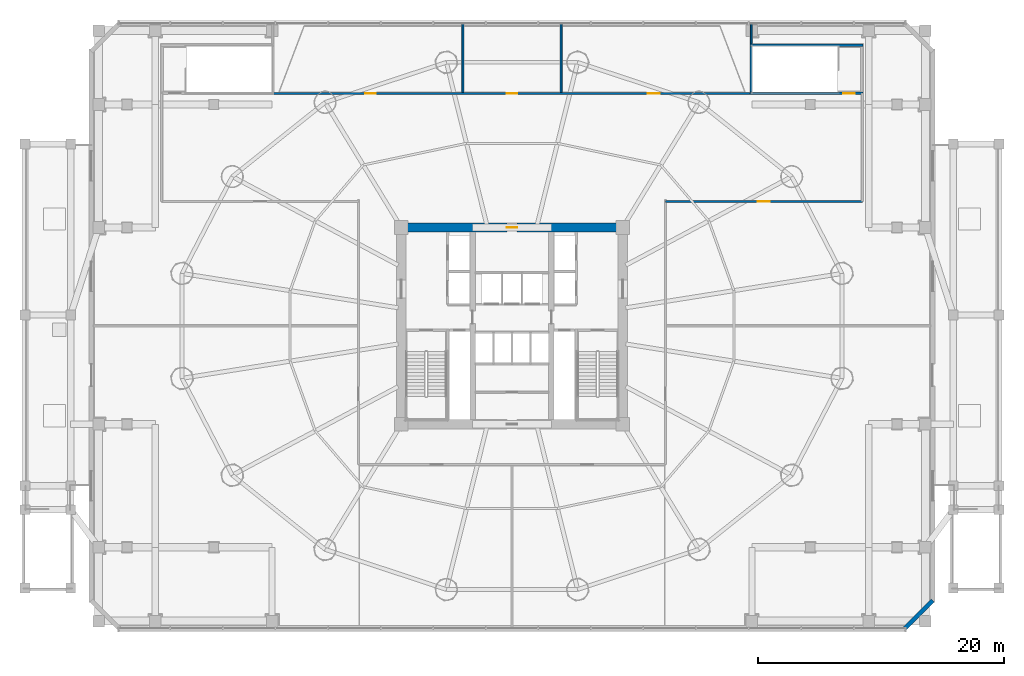
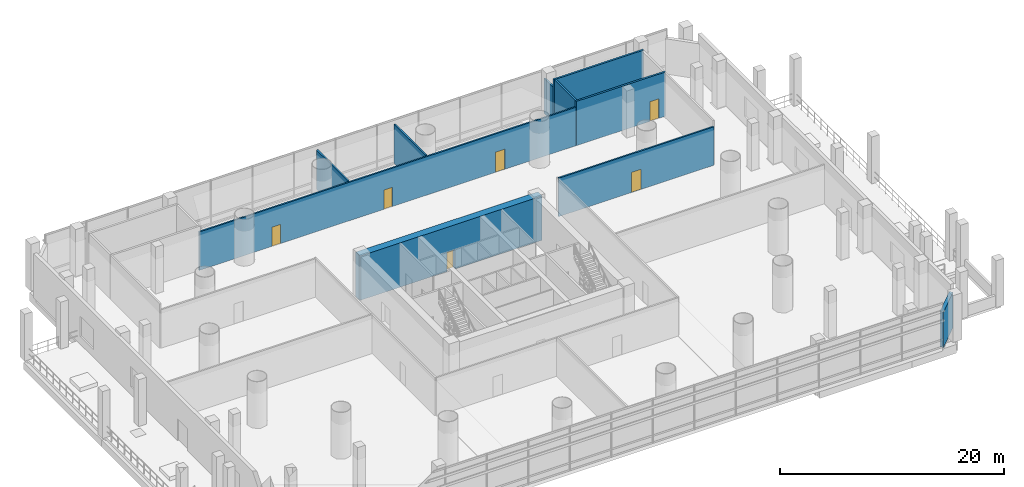
# One storey, part 23 of 31: 10 walls, 6 doors, 6 openings.
"""IFC4 building model written with IfcOpenShell, lengths in metres."""

from ifc_helpers import new_model, si_unit, direction, frame, frame_2d, origin, place, context, subcontext, project, spatial, rectangle, extrude, source, transform, mapped, material, layer, layer_set, type_object, element, fill, save


model = new_model("IFC4")

# Units and contexts
model_context = context("Model", 3, precision=1e-05, world=origin(), true_north=direction((-0.2419218956, 0.970295726276)))
body_context = subcontext(model_context, "Body", "Model", "MODEL_VIEW")
ifc_project = project(units=[si_unit("LENGTHUNIT", "METRE"), si_unit("AREAUNIT", "SQUARE_METRE"), si_unit("VOLUMEUNIT", "CUBIC_METRE"), si_unit("PLANEANGLEUNIT", "RADIAN"), si_unit("MASSUNIT", "GRAM", prefix="KILO")], contexts=[model_context])

# Site, building, storey
site_placement = place(None, origin())
site = spatial("IfcSite", under=ifc_project, at=site_placement, CompositionType="ELEMENT")
building_placement = place(site_placement, origin())
building = spatial("IfcBuilding", under=site, at=building_placement, Name="Cobrevalo Terracotta Tower", CompositionType="ELEMENT")
storey_placement = place(building_placement, frame((0.0, 0.0, 18.89990234375)))
storey = spatial("IfcBuildingStorey", under=building, at=storey_placement, Name="L04", CompositionType="ELEMENT", Elevation=18.89990234375)

# Wall
ifc_material_1 = material(Name="Concrete C45", Category="concrete")
ifc_layer_1 = layer(ifc_material_1, 0.35009765625)
ifc_layer_set_1 = layer_set([ifc_layer_1], Name="Concrete C45")
wall_type_1 = type_object("IfcWallType", Name="Board-marked precast architectural concrete facade wall 350 mm", PredefinedType="SOLIDWALL", material=ifc_layer_set_1)
wall_1_placement = place(storey_placement, frame((69.919921875, 2.199951171875, 0.0), z_axis=(0.0, 0.0, 1.0), x_axis=(0.707106781187, 0.707106781187, 0.0)))
element("IfcWall", 1, at=wall_1_placement, inside=storey, type_object=wall_type_1, Name="L04 chamfered corner pier SE", PredefinedType="SOLIDWALL", context=body_context, shape_type="SweptSolid", body=[
    extrude(rectangle(XDim=3.224365234375, YDim=0.35009765625, at=frame_2d((1.6123046875, 0.0))), origin(), (0.0, 0.0, 1.0), 3.85498046875),
])

# Wall, opening, door
ifc_material_2 = material(Name="Concrete C60", Category="concrete")
ifc_layer_2 = layer(ifc_material_2, 0.75)
ifc_layer_set_2 = layer_set([ifc_layer_2], Name="Concrete C60")
wall_type_2 = type_object("IfcWallType", Name="Core shear wall 750 mm Concrete C60", PredefinedType="SHEAR", material=ifc_layer_set_2)
wall_2_placement = place(storey_placement, frame((28.625, 34.800048828125, 0.0), z_axis=(0.0, 0.0, 1.0), x_axis=(1.0, 0.0, 0.0)))
wall_2 = element("IfcWall", 2, at=wall_2_placement, inside=storey, type_object=wall_type_2, Name="L04 north core shear wall", PredefinedType="SHEAR", context=body_context, shape_type="SweptSolid", body=[
    extrude(rectangle(XDim=18.75, YDim=0.75, at=frame_2d((9.375, 0.0))), origin(), (0.0, 0.0, 1.0), 4.820068359375),
])
opening_1_placement = place(wall_2_placement, frame((8.949951171875, 0.0, 0.0)))
opening_1 = element("IfcOpeningElement", 3, at=opening_1_placement, cuts=wall_2, Name="Opening ID-22", PredefinedType="OPENING", context=body_context, shape_type="SweptSolid", body=[
    extrude(rectangle(XDim=0.85009765625, YDim=2.10009765625, at=frame_2d((0.425048828125, 1.050048828125))), frame((0.0, 0.385009765625, 0.0), z_axis=(0.0, -1.0, 0.0), x_axis=(1.0, 0.0, 0.0)), (0.0, 0.0, 1.0), 0.77001953125),
])
ifc_material_3 = material(Name="Powder-coated steel", Category="steel")
door_type_1 = type_object("IfcDoorType", Name="Riser shaft & meter closet fire access door 850x2100 EI 60", OperationType="NOTDEFINED", PredefinedType="DOOR", material=ifc_material_3)
shared_shape_1 = source(origin(), body_context, "Body", "SweptSolid", [
    extrude(rectangle(XDim=0.85009765625, YDim=2.10009765625, at=frame_2d((0.425048828125, 1.050048828125))), frame((0.0, 0.02490234375, 0.0), z_axis=(0.0, -1.0, 0.0), x_axis=(1.0, 0.0, 0.0)), (0.0, 0.0, 1.0), 0.050048828125),
])
door_1_placement = place(opening_1_placement, frame((0.85009765625, 0.0, 0.0), z_axis=(0.0, 0.0, 1.0), x_axis=(-1.0, 0.0, 0.0)))
door_1 = element("IfcDoor", 4, at=door_1_placement, inside=storey, type_object=door_type_1, Name="L04 core north service door Floor Electrical Switchroom", OperationType="SINGLE_SWING_LEFT", OverallHeight=2.10009765625, OverallWidth=0.85009765625, PredefinedType="DOOR", context=body_context, shape_type="MappedRepresentation", body=[
    mapped(shared_shape_1, transform((0.0, 0.0, 0.0), scale=1.0)),
])
fill(opening_1, door_1)

ifc_material_4 = material(Name="Gypsum board on steel stud", Category="steel")
ifc_layer_3 = layer(ifc_material_4, 0.159912109375)
ifc_layer_set_3 = layer_set([ifc_layer_3], Name="Gypsum board on steel stud")
wall_type_3 = type_object("IfcWallType", Name="Fire-rated corridor acoustic partition wall 160 mm", PredefinedType="PARTITIONING", material=ifc_layer_set_3)
wall_3_placement = place(storey_placement, frame((50.47998046875, 36.919921875, 0.0), z_axis=(0.0, 0.0, 1.0), x_axis=(1.0, 0.0, 0.0)))
wall_3 = element("IfcWall", 5, at=wall_3_placement, inside=storey, type_object=wall_type_3, Name="L04 interior partition IW-L04-PC-SE", PredefinedType="PARTITIONING", context=body_context, shape_type="SweptSolid", body=[
    extrude(rectangle(XDim=16.0, YDim=0.159912109375, at=frame_2d((8.0, 0.0))), origin(), (0.0, 0.0, 1.0), 4.18798828125),
])
opening_2_placement = place(wall_3_placement, frame((7.510009765625, 0.0, 0.0)))
opening_2 = element("IfcOpeningElement", 6, at=opening_2_placement, cuts=wall_3, Name="Opening ID-05", PredefinedType="OPENING", context=body_context, shape_type="SweptSolid", body=[
    extrude(rectangle(XDim=0.97998046875, YDim=2.199951171875, at=frame_2d((0.489990234375, 1.10009765625))), frame((0.0, 0.08984375, 0.0), z_axis=(0.0, -1.0, 0.0), x_axis=(1.0, 0.0, 0.0)), (0.0, 0.0, 1.0), 0.179931640625),
])
ifc_material_5 = material(Name="Solid hardwood timber", Category="wood")
door_type_2 = type_object("IfcDoorType", Name="Residence entrance fire-rated acoustic timber door 980x2200 EI 60", OperationType="NOTDEFINED", PredefinedType="DOOR", material=ifc_material_5)
shared_shape_2 = source(origin(), body_context, "Body", "SweptSolid", [
    extrude(rectangle(XDim=0.97998046875, YDim=2.199951171875, at=frame_2d((0.489990234375, 1.10009765625))), frame((0.0, 0.02490234375, 0.0), z_axis=(0.0, -1.0, 0.0), x_axis=(1.0, 0.0, 0.0)), (0.0, 0.0, 1.0), 0.050048828125),
])
door_2_placement = place(opening_2_placement, frame((0.97998046875, 0.0, 0.0), z_axis=(0.0, 0.0, 1.0), x_axis=(-1.0, 0.0, 0.0)))
door_2 = element("IfcDoor", 7, at=door_2_placement, inside=storey, type_object=door_type_2, Name="L04 Residents Club Lounge door", OperationType="SINGLE_SWING_RIGHT", OverallHeight=2.199951171875, OverallWidth=0.97998046875, PredefinedType="DOOR", context=body_context, shape_type="MappedRepresentation", body=[
    mapped(shared_shape_2, transform((0.0, 0.0, 0.0), scale=1.0)),
])
fill(opening_2, door_2)

# Wall, openings, doors
wall_4_placement = place(storey_placement, frame((18.550048828125, 45.699951171875, 0.0), z_axis=(0.0, 0.0, 1.0), x_axis=(1.0, 0.0, 0.0)))
wall_4 = element("IfcWall", 8, at=wall_4_placement, inside=storey, type_object=wall_type_3, Name="L04 interior partition IW-L04-PC-N", PredefinedType="PARTITIONING", context=body_context, shape_type="SweptSolid", body=[
    extrude(rectangle(XDim=38.89990234375, YDim=0.159912109375, at=frame_2d((19.449951171875, 0.0))), origin(), (0.0, 0.0, 1.0), 4.18798828125),
])
opening_3_placement = place(wall_4_placement, frame((7.5048828125, 0.0, 0.0)))
opening_3 = element("IfcOpeningElement", 9, at=opening_3_placement, cuts=wall_4, Name="Opening ID-07", PredefinedType="OPENING", context=body_context, shape_type="SweptSolid", body=[
    extrude(rectangle(XDim=0.860107421875, YDim=2.10009765625, at=frame_2d((0.43017578125, 1.050048828125))), frame((0.0, 0.08984375, 0.0), z_axis=(0.0, -1.0, 0.0), x_axis=(1.0, 0.0, 0.0)), (0.0, 0.0, 1.0), 0.179931640625),
])
opening_4_placement = place(wall_4_placement, frame((19.02001953125, 0.0, 0.0)))
opening_4 = element("IfcOpeningElement", 10, at=opening_4_placement, cuts=wall_4, Name="Opening ID-07", PredefinedType="OPENING", context=body_context, shape_type="SweptSolid", body=[
    extrude(rectangle(XDim=0.860107421875, YDim=2.10009765625, at=frame_2d((0.43017578125, 1.050048828125))), frame((0.0, 0.08984375, 0.0), z_axis=(0.0, -1.0, 0.0), x_axis=(1.0, 0.0, 0.0)), (0.0, 0.0, 1.0), 0.179931640625),
])
opening_5_placement = place(wall_4_placement, frame((30.47509765625, 0.0, 0.0)))
opening_5 = element("IfcOpeningElement", 11, at=opening_5_placement, cuts=wall_4, Name="Opening ID-05", PredefinedType="OPENING", context=body_context, shape_type="SweptSolid", body=[
    extrude(rectangle(XDim=0.97998046875, YDim=2.199951171875, at=frame_2d((0.489990234375, 1.10009765625))), frame((0.0, 0.08984375, 0.0), z_axis=(0.0, -1.0, 0.0), x_axis=(1.0, 0.0, 0.0)), (0.0, 0.0, 1.0), 0.179931640625),
])
ifc_material_6 = material(Name="Fire-rated moisture-sealed timber", Category="wood")
door_type_3 = type_object("IfcDoorType", Name="Core & podium fire-rated accessible WC door 860x2100 EI 60", OperationType="NOTDEFINED", PredefinedType="DOOR", material=ifc_material_6)
shared_shape_3 = source(origin(), body_context, "Body", "SweptSolid", [
    extrude(rectangle(XDim=0.860107421875, YDim=2.10009765625, at=frame_2d((0.43017578125, 1.050048828125))), frame((0.0, 0.02490234375, 0.0), z_axis=(0.0, -1.0, 0.0), x_axis=(1.0, 0.0, 0.0)), (0.0, 0.0, 1.0), 0.050048828125),
])
door_3_placement = place(opening_3_placement, frame((0.860107421875, 0.0, 0.0), z_axis=(0.0, 0.0, 1.0), x_axis=(-1.0, 0.0, 0.0)))
door_3 = element("IfcDoor", 12, at=door_3_placement, inside=storey, type_object=door_type_3, Name="L04 Public Restrooms door", OperationType="SINGLE_SWING_LEFT", OverallHeight=2.10009765625, OverallWidth=0.860107421875, PredefinedType="DOOR", context=body_context, shape_type="MappedRepresentation", body=[
    mapped(shared_shape_3, transform((0.0, 0.0, 0.0), scale=1.0)),
])
fill(opening_3, door_3)
door_4_placement = place(opening_4_placement, frame((0.860107421875, 0.0, 0.0), z_axis=(0.0, 0.0, 1.0), x_axis=(-1.0, 0.0, 0.0)))
door_4 = element("IfcDoor", 13, at=door_4_placement, inside=storey, type_object=door_type_3, Name="L04 Accessible Restroom WC door", OperationType="SINGLE_SWING_RIGHT", OverallHeight=2.10009765625, OverallWidth=0.860107421875, PredefinedType="DOOR", context=body_context, shape_type="MappedRepresentation", body=[
    mapped(shared_shape_3, transform((0.0, 0.0, 0.0), scale=1.0)),
])
fill(opening_4, door_4)
door_5_placement = place(opening_5_placement, frame((0.97998046875, 0.0, 0.0), z_axis=(0.0, 0.0, 1.0), x_axis=(-1.0, 0.0, 0.0)))
door_5 = element("IfcDoor", 14, at=door_5_placement, inside=storey, type_object=door_type_2, Name="L04 Podium Housekeeping Store door", OperationType="SINGLE_SWING_LEFT", OverallHeight=2.199951171875, OverallWidth=0.97998046875, PredefinedType="DOOR", context=body_context, shape_type="MappedRepresentation", body=[
    mapped(shared_shape_2, transform((0.0, 0.0, 0.0), scale=1.0)),
])
fill(opening_5, door_5)

# Walls
for number, where, z_axis, x_axis, name in (
    (15, (34.0, 45.781982421875, 0.0), (0.0, 0.0, 1.0), (0.0, 1.0, 0.0), "L04 interior partition IW-L04-PN-1"),
    (16, (42.0, 45.781982421875, 0.0), (0.0, 0.0, 1.0), (0.0, 1.0, 0.0), "L04 interior partition IW-L04-PN-2"),
):
    element("IfcWall", number, at=place(storey_placement, frame(where, z_axis=z_axis, x_axis=x_axis)), inside=storey, type_object=wall_type_3, Name=name, PredefinedType="PARTITIONING", context=body_context, shape_type="SweptSolid", body=[
        extrude(rectangle(XDim=5.578125, YDim=0.159912109375, at=frame_2d((2.7890625, 0.0))), origin(), (0.0, 0.0, 1.0), 4.26220703125),
    ])
wall_5_placement = place(storey_placement, frame((57.449951171875, 49.721923828125, 0.0), z_axis=(0.0, 0.0, 1.0), x_axis=(0.0, 1.0, 0.0)))
element("IfcWall", 17, at=wall_5_placement, inside=storey, type_object=wall_type_3, Name="L04 interior partition IW-L04-PN-E", PredefinedType="PARTITIONING", context=body_context, shape_type="SweptSolid", body=[
    extrude(rectangle(XDim=1.63818359375, YDim=0.159912109375, at=frame_2d((0.819091796875, 0.0))), origin(), (0.0, 0.0, 1.0), 3.85498046875),
])

# Wall, opening, door
ifc_material_7 = material(Name="Concrete C50", Category="concrete")
ifc_layer_4 = layer(ifc_material_7, 0.199951171875)
ifc_layer_set_4 = layer_set([ifc_layer_4], Name="Concrete C50")
wall_type_4 = type_object("IfcWallType", Name="Structural core & podium stair-shaft RC wall 200 mm Concrete C50", PredefinedType="SOLIDWALL", material=ifc_layer_set_4)
wall_6_placement = place(storey_placement, frame((57.35009765625, 45.699951171875, 0.0), z_axis=(0.0, 0.0, 1.0), x_axis=(1.0, 0.0, 0.0)))
wall_6 = element("IfcWall", 18, at=wall_6_placement, inside=storey, type_object=wall_type_4, Name="L04 STP2 south structural shaft wall", PredefinedType="SOLIDWALL", context=body_context, shape_type="SweptSolid", body=[
    extrude(rectangle(XDim=9.199951171875, YDim=0.199951171875, at=frame_2d((4.60009765625, 0.0))), origin(), (0.0, 0.0, 1.0), 4.820068359375),
])
opening_6_placement = place(wall_6_placement, frame((7.574951171875, 0.0, 0.0)))
opening_6 = element("IfcOpeningElement", 19, at=opening_6_placement, cuts=wall_6, Name="Opening ID-04", PredefinedType="OPENING", context=body_context, shape_type="SweptSolid", body=[
    extrude(rectangle(XDim=0.949951171875, YDim=2.14990234375, at=frame_2d((0.47509765625, 1.074951171875))), frame((0.0, 0.10986328125, 0.0), z_axis=(0.0, -1.0, 0.0), x_axis=(1.0, 0.0, 0.0)), (0.0, 0.0, 1.0), 0.219970703125),
])
ifc_material_8 = material(Name="Galvanized fire-rated steel", Category="steel")
door_type_4 = type_object("IfcDoorType", Name="Stair & firefighting lobby fire door 950x2150 EI 90", OperationType="NOTDEFINED", PredefinedType="DOOR", material=ifc_material_8)
shared_shape_4 = source(origin(), body_context, "Body", "SweptSolid", [
    extrude(rectangle(XDim=0.949951171875, YDim=2.14990234375, at=frame_2d((0.47509765625, 1.074951171875))), frame((0.0, 0.02490234375, 0.0), z_axis=(0.0, -1.0, 0.0), x_axis=(1.0, 0.0, 0.0)), (0.0, 0.0, 1.0), 0.050048828125),
])
door_6_placement = place(opening_6_placement, frame((0.949951171875, 0.0, 0.0), z_axis=(0.0, 0.0, 1.0), x_axis=(-1.0, 0.0, 0.0)))
door_6 = element("IfcDoor", 20, at=door_6_placement, inside=storey, type_object=door_type_4, Name="L04 podium exit stair STP2 fire door", OperationType="SINGLE_SWING_RIGHT", OverallHeight=2.14990234375, OverallWidth=0.949951171875, PredefinedType="DOOR", context=body_context, shape_type="MappedRepresentation", body=[
    mapped(shared_shape_4, transform((0.0, 0.0, 0.0), scale=1.0)),
])
fill(opening_6, door_6)

# Walls
wall_7_placement = place(storey_placement, frame((57.35009765625, 49.6201171875, 0.0), z_axis=(0.0, 0.0, 1.0), x_axis=(1.0, 0.0, 0.0)))
element("IfcWall", 21, at=wall_7_placement, inside=storey, type_object=wall_type_4, Name="L04 STP2 north structural shaft wall", PredefinedType="SOLIDWALL", context=body_context, shape_type="SweptSolid", body=[
    extrude(rectangle(XDim=9.199951171875, YDim=0.199951171875, at=frame_2d((4.60009765625, 0.0))), origin(), (0.0, 0.0, 1.0), 4.820068359375),
])
wall_8_placement = place(storey_placement, frame((57.449951171875, 45.800048828125, 0.0), z_axis=(0.0, 0.0, 1.0), x_axis=(0.0, 1.0, 0.0)))
element("IfcWall", 22, at=wall_8_placement, inside=storey, type_object=wall_type_4, Name="L04 STP2 west structural shaft wall", PredefinedType="SOLIDWALL", context=body_context, shape_type="SweptSolid", body=[
    extrude(rectangle(XDim=3.719970703125, YDim=0.199951171875, at=frame_2d((1.85986328125, 0.0))), origin(), (0.0, 0.0, 1.0), 4.820068359375),
])

save(model, "model.ifc")
